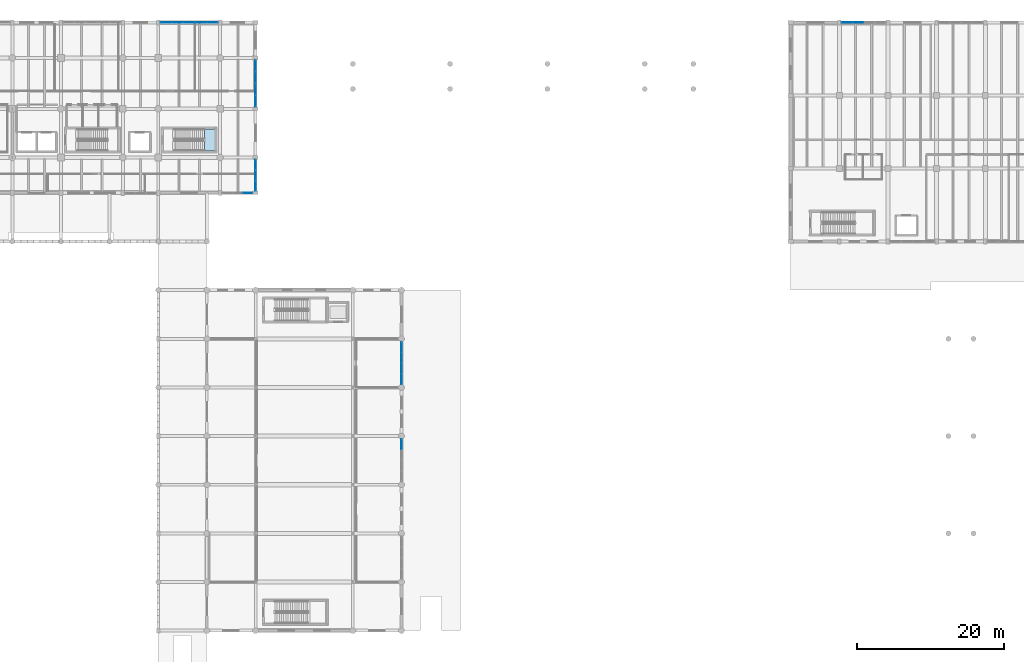
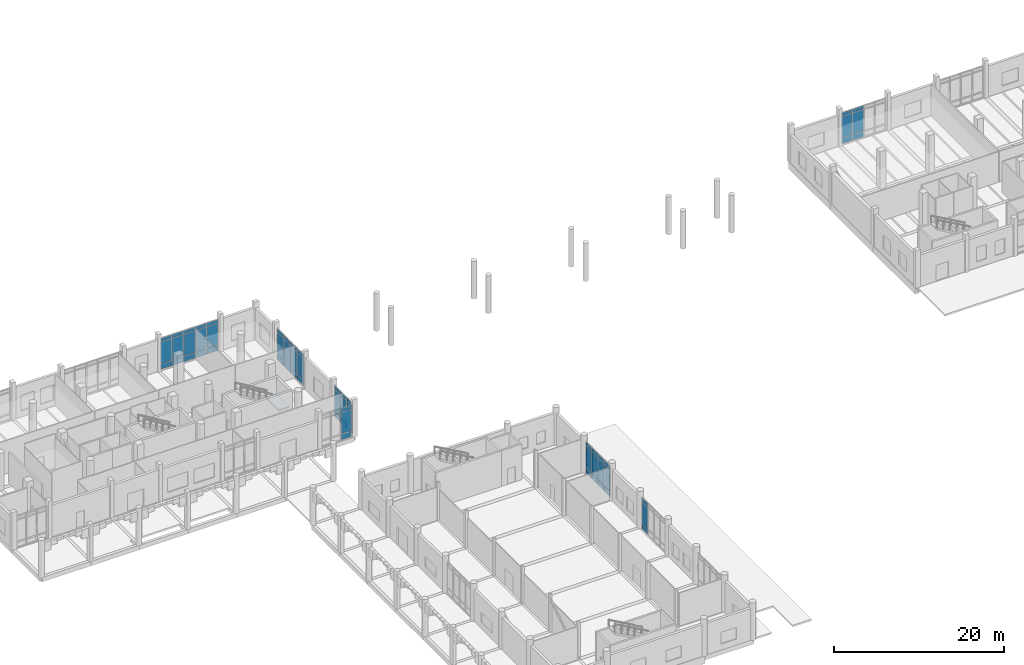
# One storey, part 35 of 72: 60 plates, 1 slab, 8 elements without a shape of their own.
"""IFC4 building model written with IfcOpenShell, lengths in metres."""

from ifc_helpers import new_model, si_unit, direction, frame, origin, origin_2d, place, context, subcontext, project, spatial, polyline, rectangle, outline, extrude, material, layer, layer_set, type_object, element, aggregate, save


model = new_model("IFC4")

# Units and contexts
model_context = context("Model", 3, precision=1e-05, world=origin(), true_north=direction((0.0, 1.0)))
body_context = subcontext(model_context, "Body", "Model", "MODEL_VIEW")
ifc_project = project(units=[si_unit("LENGTHUNIT", "METRE"), si_unit("AREAUNIT", "SQUARE_METRE"), si_unit("VOLUMEUNIT", "CUBIC_METRE"), si_unit("PLANEANGLEUNIT", "RADIAN"), si_unit("MASSUNIT", "GRAM", prefix="KILO")], contexts=[model_context])

# Site, building, storey
site_placement = place(None, origin())
site = spatial("IfcSite", under=ifc_project, at=site_placement, CompositionType="ELEMENT")
building_placement = place(site_placement, origin())
building = spatial("IfcBuilding", under=site, at=building_placement, Name="Dornvale Research Institute", CompositionType="ELEMENT")
storey_placement = place(building_placement, origin())
storey = spatial("IfcBuildingStorey", under=building, at=storey_placement, Name="L00", CompositionType="ELEMENT", Elevation=0.0)

# Curtain wall, plates
ifc_material_1 = material(Name="Low-E Argon Double Insulating Glazing Unit", Category="glass")
curtain_wall_type_1 = type_object("IfcCurtainWallType", Name="UnitisedCurtainWall_V2_5810x4550", PredefinedType="USERDEFINED", material=ifc_material_1)
curtain_wall_1_placement = place(storey_placement, origin())
curtain_wall_1 = element("IfcCurtainWall", 1, at=curtain_wall_1_placement, inside=storey, type_object=curtain_wall_type_1, Name="L00 V2 unitised curtain wall CW-01 #2", ObjectType="UNITISED CURTAIN WALL", PredefinedType="USERDEFINED")
ifc_material_2 = material(Name="Insulated Ceramic-Frit Spandrel Glass Panel", Category="glass")
ifc_layer_1 = layer(ifc_material_2, 0.0419921875)
ifc_layer_set_1 = layer_set([ifc_layer_1], Name="Insulated Ceramic-Frit Spandrel Glass Panel")
plate_type_1 = type_object("IfcPlateType", Name="CurtainPanel_Spandrel_42", PredefinedType="CURTAIN_PANEL", material=ifc_layer_set_1)
plate_1_placement = place(storey_placement, frame((66.0, 78.0625, 0.06494140625), z_axis=(0.0, 0.0, 1.0), x_axis=(0.0, -1.0, 0.0)))
plate_1 = element("IfcPlate", 2, at=plate_1_placement, type_object=plate_type_1, Name="CW-01 panel 1.1", PredefinedType="CURTAIN_PANEL", context=body_context, shape_type="SweptSolid", body=[
    extrude(rectangle(XDim=1.35498046875, YDim=0.0419921875, at=origin_2d()), origin(), (0.0, 0.0, 1.0), 0.75244140625),
])
plate_2_placement = place(storey_placement, frame((66.0, 76.626220703125, 0.06494140625), z_axis=(0.0, 0.0, 1.0), x_axis=(0.0, -1.0, 0.0)))
plate_2 = element("IfcPlate", 3, at=plate_2_placement, type_object=plate_type_1, Name="CW-01 panel 2.1", PredefinedType="CURTAIN_PANEL", context=body_context, shape_type="SweptSolid", body=[
    extrude(rectangle(XDim=1.387451171875, YDim=0.0419921875, at=origin_2d()), origin(), (0.0, 0.0, 1.0), 0.75244140625),
])
plate_3_placement = place(storey_placement, frame((66.0, 75.173828125, 0.06494140625), z_axis=(0.0, 0.0, 1.0), x_axis=(0.0, -1.0, 0.0)))
plate_3 = element("IfcPlate", 4, at=plate_3_placement, type_object=plate_type_1, Name="CW-01 panel 3.1", PredefinedType="CURTAIN_PANEL", context=body_context, shape_type="SweptSolid", body=[
    extrude(rectangle(XDim=1.387451171875, YDim=0.0419921875, at=origin_2d()), origin(), (0.0, 0.0, 1.0), 0.75244140625),
])
plate_4_placement = place(storey_placement, frame((66.0, 73.737548828125, 0.06494140625), z_axis=(0.0, 0.0, 1.0), x_axis=(0.0, -1.0, 0.0)))
plate_4 = element("IfcPlate", 5, at=plate_4_placement, type_object=plate_type_1, Name="CW-01 panel 4.1", PredefinedType="CURTAIN_PANEL", context=body_context, shape_type="SweptSolid", body=[
    extrude(rectangle(XDim=1.35498046875, YDim=0.0419921875, at=origin_2d()), origin(), (0.0, 0.0, 1.0), 0.75244140625),
])

# Curtain wall, plate
curtain_wall_2_placement = place(storey_placement, origin())
curtain_wall_2 = element("IfcCurtainWall", 6, at=curtain_wall_2_placement, inside=storey, type_object=curtain_wall_type_1, Name="L00 V2 unitised curtain wall CW-01 #3", ObjectType="UNITISED CURTAIN WALL", PredefinedType="USERDEFINED")
plate_5_placement = place(storey_placement, frame((66.0, 64.862548828125, 0.06494140625), z_axis=(0.0, 0.0, 1.0), x_axis=(0.0, -1.0, 0.0)))
plate_5 = element("IfcPlate", 7, at=plate_5_placement, type_object=plate_type_1, Name="CW-01 panel 1.1", PredefinedType="CURTAIN_PANEL", context=body_context, shape_type="SweptSolid", body=[
    extrude(rectangle(XDim=1.35498046875, YDim=0.0419921875, at=origin_2d()), origin(), (0.0, 0.0, 1.0), 0.75244140625),
])

# Curtain wall, plates
ifc_material_3 = material(Name="Low-E Argon Double Insulating Glazing Unit", Category="glass")
curtain_wall_type_2 = type_object("IfcCurtainWallType", Name="UnitisedCurtainWall_V4_6100x4550", PredefinedType="USERDEFINED", material=ifc_material_3)
curtain_wall_3_placement = place(storey_placement, origin())
curtain_wall_3 = element("IfcCurtainWall", 8, at=curtain_wall_3_placement, inside=storey, type_object=curtain_wall_type_2, Name="L00 V4 unitised curtain wall CW-08 #66", ObjectType="UNITISED CURTAIN WALL", PredefinedType="USERDEFINED")
plate_6_placement = place(storey_placement, frame((126.4287109375, 122.10009765625, 0.06494140625), z_axis=(0.0, 0.0, 1.0), x_axis=(1.0, 0.0, 0.0)))
plate_6 = element("IfcPlate", 9, at=plate_6_placement, type_object=plate_type_1, Name="CW-08 panel 1.1", PredefinedType="CURTAIN_PANEL", context=body_context, shape_type="SweptSolid", body=[
    extrude(rectangle(XDim=1.427490234375, YDim=0.0419921875, at=origin_2d()), origin(), (0.0, 0.0, 1.0), 0.75244140625),
])
plate_7_placement = place(storey_placement, frame((127.9375, 122.10009765625, 0.06494140625), z_axis=(0.0, 0.0, 1.0), x_axis=(1.0, 0.0, 0.0)))
plate_7 = element("IfcPlate", 10, at=plate_7_placement, type_object=plate_type_1, Name="CW-08 panel 2.1", PredefinedType="CURTAIN_PANEL", context=body_context, shape_type="SweptSolid", body=[
    extrude(rectangle(XDim=1.4599609375, YDim=0.0419921875, at=origin_2d()), origin(), (0.0, 0.0, 1.0), 0.75244140625),
])

ifc_material_4 = material(Name="Low-E Argon Double Insulating Glazing Unit", Category="glass")
curtain_wall_type_3 = type_object("IfcCurtainWallType", Name="UnitisedCurtainWall_V5_7900x4550", PredefinedType="USERDEFINED", material=ifc_material_4)
curtain_wall_4_placement = place(storey_placement, origin())
curtain_wall_4 = element("IfcCurtainWall", 11, at=curtain_wall_4_placement, inside=storey, type_object=curtain_wall_type_3, Name="L00 V5 unitised curtain wall CW-20 #127", ObjectType="UNITISED CURTAIN WALL", PredefinedType="USERDEFINED")
plate_8_placement = place(storey_placement, frame((34.05615234375, 122.10009765625, 0.06494140625), z_axis=(0.0, 0.0, 1.0), x_axis=(1.0, 0.0, 0.0)))
plate_8 = element("IfcPlate", 12, at=plate_8_placement, type_object=plate_type_1, Name="CW-20 panel 1.1", PredefinedType="CURTAIN_PANEL", context=body_context, shape_type="SweptSolid", body=[
    extrude(rectangle(XDim=1.482421875, YDim=0.0419921875, at=origin_2d()), origin(), (0.0, 0.0, 1.0), 0.75244140625),
])
plate_9_placement = place(storey_placement, frame((35.6201171875, 122.10009765625, 0.06494140625), z_axis=(0.0, 0.0, 1.0), x_axis=(1.0, 0.0, 0.0)))
plate_9 = element("IfcPlate", 13, at=plate_9_placement, type_object=plate_type_1, Name="CW-20 panel 2.1", PredefinedType="CURTAIN_PANEL", context=body_context, shape_type="SweptSolid", body=[
    extrude(rectangle(XDim=1.514892578125, YDim=0.0419921875, at=origin_2d()), origin(), (0.0, 0.0, 1.0), 0.75244140625),
])
plate_10_placement = place(storey_placement, frame((37.199951171875, 122.10009765625, 0.06494140625), z_axis=(0.0, 0.0, 1.0), x_axis=(1.0, 0.0, 0.0)))
plate_10 = element("IfcPlate", 14, at=plate_10_placement, type_object=plate_type_1, Name="CW-20 panel 3.1", PredefinedType="CURTAIN_PANEL", context=body_context, shape_type="SweptSolid", body=[
    extrude(rectangle(XDim=1.514892578125, YDim=0.0419921875, at=origin_2d()), origin(), (0.0, 0.0, 1.0), 0.75244140625),
])
plate_11_placement = place(storey_placement, frame((38.780029296875, 122.10009765625, 0.06494140625), z_axis=(0.0, 0.0, 1.0), x_axis=(1.0, 0.0, 0.0)))
plate_11 = element("IfcPlate", 15, at=plate_11_placement, type_object=plate_type_1, Name="CW-20 panel 4.1", PredefinedType="CURTAIN_PANEL", context=body_context, shape_type="SweptSolid", body=[
    extrude(rectangle(XDim=1.514892578125, YDim=0.0419921875, at=origin_2d()), origin(), (0.0, 0.0, 1.0), 0.75244140625),
])
plate_12_placement = place(storey_placement, frame((40.34375, 122.10009765625, 0.06494140625), z_axis=(0.0, 0.0, 1.0), x_axis=(1.0, 0.0, 0.0)))
plate_12 = element("IfcPlate", 16, at=plate_12_placement, type_object=plate_type_1, Name="CW-20 panel 5.1", PredefinedType="CURTAIN_PANEL", context=body_context, shape_type="SweptSolid", body=[
    extrude(rectangle(XDim=1.482421875, YDim=0.0419921875, at=origin_2d()), origin(), (0.0, 0.0, 1.0), 0.75244140625),
])

ifc_material_5 = material(Name="Low-E Argon Double Insulating Glazing Unit", Category="glass")
curtain_wall_type_4 = type_object("IfcCurtainWallType", Name="UnitisedCurtainWall_V5_6400x4550", PredefinedType="USERDEFINED", material=ifc_material_5)
curtain_wall_5_placement = place(storey_placement, origin())
curtain_wall_5 = element("IfcCurtainWall", 17, at=curtain_wall_5_placement, inside=storey, type_object=curtain_wall_type_4, Name="L00 V5 unitised curtain wall CW-21 #128", ObjectType="UNITISED CURTAIN WALL", PredefinedType="USERDEFINED")
plate_13_placement = place(storey_placement, frame((46.199951171875, 116.233642578125, 0.06494140625), z_axis=(0.0, 0.0, 1.0), x_axis=(0.0, -1.0, 0.0)))
plate_13 = element("IfcPlate", 18, at=plate_13_placement, type_object=plate_type_1, Name="CW-21 panel 1.1", PredefinedType="CURTAIN_PANEL", context=body_context, shape_type="SweptSolid", body=[
    extrude(rectangle(XDim=1.50244140625, YDim=0.0419921875, at=origin_2d()), origin(), (0.0, 0.0, 1.0), 0.75244140625),
])
plate_14_placement = place(storey_placement, frame((46.199951171875, 114.64990234375, 0.06494140625), z_axis=(0.0, 0.0, 1.0), x_axis=(0.0, -1.0, 0.0)))
plate_14 = element("IfcPlate", 19, at=plate_14_placement, type_object=plate_type_1, Name="CW-21 panel 2.1", PredefinedType="CURTAIN_PANEL", context=body_context, shape_type="SweptSolid", body=[
    extrude(rectangle(XDim=1.534912109375, YDim=0.0419921875, at=origin_2d()), origin(), (0.0, 0.0, 1.0), 0.75244140625),
])
plate_15_placement = place(storey_placement, frame((46.199951171875, 113.050048828125, 0.06494140625), z_axis=(0.0, 0.0, 1.0), x_axis=(0.0, -1.0, 0.0)))
plate_15 = element("IfcPlate", 20, at=plate_15_placement, type_object=plate_type_1, Name="CW-21 panel 3.1", PredefinedType="CURTAIN_PANEL", context=body_context, shape_type="SweptSolid", body=[
    extrude(rectangle(XDim=1.534912109375, YDim=0.0419921875, at=origin_2d()), origin(), (0.0, 0.0, 1.0), 0.75244140625),
])
plate_16_placement = place(storey_placement, frame((46.199951171875, 111.46630859375, 0.06494140625), z_axis=(0.0, 0.0, 1.0), x_axis=(0.0, -1.0, 0.0)))
plate_16 = element("IfcPlate", 21, at=plate_16_placement, type_object=plate_type_1, Name="CW-21 panel 4.1", PredefinedType="CURTAIN_PANEL", context=body_context, shape_type="SweptSolid", body=[
    extrude(rectangle(XDim=1.50244140625, YDim=0.0419921875, at=origin_2d()), origin(), (0.0, 0.0, 1.0), 0.75244140625),
])

ifc_material_6 = material(Name="Low-E Argon Double Insulating Glazing Unit", Category="glass")
curtain_wall_type_5 = type_object("IfcCurtainWallType", Name="UnitisedCurtainWall_V5_4300x4550", PredefinedType="USERDEFINED", material=ifc_material_6)
curtain_wall_6_placement = place(storey_placement, origin())
curtain_wall_6 = element("IfcCurtainWall", 22, at=curtain_wall_6_placement, inside=storey, type_object=curtain_wall_type_5, Name="L00 V5 unitised curtain wall CW-22 #129", ObjectType="UNITISED CURTAIN WALL", PredefinedType="USERDEFINED")
plate_17_placement = place(storey_placement, frame((46.199951171875, 102.817138671875, 0.06494140625), z_axis=(0.0, 0.0, 1.0), x_axis=(0.0, -1.0, 0.0)))
plate_17 = element("IfcPlate", 23, at=plate_17_placement, type_object=plate_type_1, Name="CW-22 panel 1.1", PredefinedType="CURTAIN_PANEL", context=body_context, shape_type="SweptSolid", body=[
    extrude(rectangle(XDim=1.3359375, YDim=0.0419921875, at=origin_2d()), origin(), (0.0, 0.0, 1.0), 0.75244140625),
])
plate_18_placement = place(storey_placement, frame((46.199951171875, 101.39990234375, 0.06494140625), z_axis=(0.0, 0.0, 1.0), x_axis=(0.0, -1.0, 0.0)))
plate_18 = element("IfcPlate", 24, at=plate_18_placement, type_object=plate_type_1, Name="CW-22 panel 2.1", PredefinedType="CURTAIN_PANEL", context=body_context, shape_type="SweptSolid", body=[
    extrude(rectangle(XDim=1.368408203125, YDim=0.0419921875, at=origin_2d()), origin(), (0.0, 0.0, 1.0), 0.75244140625),
])
plate_19_placement = place(storey_placement, frame((46.199951171875, 99.98291015625, 0.06494140625), z_axis=(0.0, 0.0, 1.0), x_axis=(0.0, -1.0, 0.0)))
plate_19 = element("IfcPlate", 25, at=plate_19_placement, type_object=plate_type_1, Name="CW-22 panel 3.1", PredefinedType="CURTAIN_PANEL", context=body_context, shape_type="SweptSolid", body=[
    extrude(rectangle(XDim=1.3359375, YDim=0.0419921875, at=origin_2d()), origin(), (0.0, 0.0, 1.0), 0.75244140625),
])

# Curtain wall, plate
ifc_material_7 = material(Name="Low-E Argon Double Insulating Glazing Unit", Category="glass")
curtain_wall_type_6 = type_object("IfcCurtainWallType", Name="UnitisedCurtainWall_V5_4200x4550", PredefinedType="USERDEFINED", material=ifc_material_7)
curtain_wall_7_placement = place(storey_placement, origin())
curtain_wall_7 = element("IfcCurtainWall", 26, at=curtain_wall_7_placement, inside=storey, type_object=curtain_wall_type_6, Name="L00 V5 unitised curtain wall CW-23 #130", ObjectType="UNITISED CURTAIN WALL", PredefinedType="USERDEFINED")
plate_20_placement = place(storey_placement, frame((45.1337890625, 99.0, 0.06494140625), z_axis=(0.0, 0.0, 1.0), x_axis=(-1.0, 0.0, 0.0)))
plate_20 = element("IfcPlate", 27, at=plate_20_placement, type_object=plate_type_1, Name="CW-23 panel 1.1", PredefinedType="CURTAIN_PANEL", context=body_context, shape_type="SweptSolid", body=[
    extrude(rectangle(XDim=1.302490234375, YDim=0.0419921875, at=origin_2d()), origin(), (0.0, 0.0, 1.0), 0.75244140625),
])

# Plate
ifc_material_8 = material(Name="Low-E Argon Double Insulating Glazing Unit", Category="glass")
ifc_layer_2 = layer(ifc_material_8, 0.028076171875)
ifc_layer_set_2 = layer_set([ifc_layer_2], Name="Low-E Argon Double Insulating Glazing Unit")
plate_type_2 = type_object("IfcPlateType", Name="CurtainPanel_Vision_28", PredefinedType="CURTAIN_PANEL", material=ifc_layer_set_2)
plate_21_placement = place(storey_placement, frame((66.0, 78.0625, 0.882568359375), z_axis=(0.0, 0.0, 1.0), x_axis=(0.0, -1.0, 0.0)))
plate_21 = element("IfcPlate", 28, at=plate_21_placement, type_object=plate_type_2, Name="CW-01 panel 1.2", PredefinedType="CURTAIN_PANEL", context=body_context, shape_type="SweptSolid", body=[
    extrude(rectangle(XDim=1.35498046875, YDim=0.028076171875, at=origin_2d()), origin(), (0.0, 0.0, 1.0), 3.0849609375),
])

plate_22_placement = place(storey_placement, frame((66.0, 78.0625, 4.03271484375), z_axis=(0.0, 0.0, 1.0), x_axis=(0.0, -1.0, 0.0)))
plate_22 = element("IfcPlate", 29, at=plate_22_placement, type_object=plate_type_2, Name="CW-01 panel 1.3", PredefinedType="CURTAIN_PANEL", context=body_context, shape_type="SweptSolid", body=[
    extrude(rectangle(XDim=1.35498046875, YDim=0.028076171875, at=origin_2d()), origin(), (0.0, 0.0, 1.0), 0.452392578125),
])

plate_23_placement = place(storey_placement, frame((66.0, 76.626220703125, 0.882568359375), z_axis=(0.0, 0.0, 1.0), x_axis=(0.0, -1.0, 0.0)))
plate_23 = element("IfcPlate", 30, at=plate_23_placement, type_object=plate_type_2, Name="CW-01 panel 2.2", PredefinedType="CURTAIN_PANEL", context=body_context, shape_type="SweptSolid", body=[
    extrude(rectangle(XDim=1.387451171875, YDim=0.028076171875, at=origin_2d()), origin(), (0.0, 0.0, 1.0), 3.0849609375),
])

plate_24_placement = place(storey_placement, frame((66.0, 76.626220703125, 4.03271484375), z_axis=(0.0, 0.0, 1.0), x_axis=(0.0, -1.0, 0.0)))
plate_24 = element("IfcPlate", 31, at=plate_24_placement, type_object=plate_type_2, Name="CW-01 panel 2.3", PredefinedType="CURTAIN_PANEL", context=body_context, shape_type="SweptSolid", body=[
    extrude(rectangle(XDim=1.387451171875, YDim=0.028076171875, at=origin_2d()), origin(), (0.0, 0.0, 1.0), 0.452392578125),
])

plate_25_placement = place(storey_placement, frame((66.0, 75.173828125, 0.882568359375), z_axis=(0.0, 0.0, 1.0), x_axis=(0.0, -1.0, 0.0)))
plate_25 = element("IfcPlate", 32, at=plate_25_placement, type_object=plate_type_2, Name="CW-01 panel 3.2", PredefinedType="CURTAIN_PANEL", context=body_context, shape_type="SweptSolid", body=[
    extrude(rectangle(XDim=1.387451171875, YDim=0.028076171875, at=origin_2d()), origin(), (0.0, 0.0, 1.0), 3.0849609375),
])

plate_26_placement = place(storey_placement, frame((66.0, 75.173828125, 4.03271484375), z_axis=(0.0, 0.0, 1.0), x_axis=(0.0, -1.0, 0.0)))
plate_26 = element("IfcPlate", 33, at=plate_26_placement, type_object=plate_type_2, Name="CW-01 panel 3.3", PredefinedType="CURTAIN_PANEL", context=body_context, shape_type="SweptSolid", body=[
    extrude(rectangle(XDim=1.387451171875, YDim=0.028076171875, at=origin_2d()), origin(), (0.0, 0.0, 1.0), 0.452392578125),
])

plate_27_placement = place(storey_placement, frame((66.0, 73.737548828125, 0.882568359375), z_axis=(0.0, 0.0, 1.0), x_axis=(0.0, -1.0, 0.0)))
plate_27 = element("IfcPlate", 34, at=plate_27_placement, type_object=plate_type_2, Name="CW-01 panel 4.2", PredefinedType="CURTAIN_PANEL", context=body_context, shape_type="SweptSolid", body=[
    extrude(rectangle(XDim=1.35498046875, YDim=0.028076171875, at=origin_2d()), origin(), (0.0, 0.0, 1.0), 3.0849609375),
])

plate_28_placement = place(storey_placement, frame((66.0, 73.737548828125, 4.03271484375), z_axis=(0.0, 0.0, 1.0), x_axis=(0.0, -1.0, 0.0)))
plate_28 = element("IfcPlate", 35, at=plate_28_placement, type_object=plate_type_2, Name="CW-01 panel 4.3", PredefinedType="CURTAIN_PANEL", context=body_context, shape_type="SweptSolid", body=[
    extrude(rectangle(XDim=1.35498046875, YDim=0.028076171875, at=origin_2d()), origin(), (0.0, 0.0, 1.0), 0.452392578125),
])

aggregate(curtain_wall_1, [plate_1, plate_21, plate_22, plate_2, plate_23, plate_24, plate_3, plate_25, plate_26, plate_4, plate_27, plate_28])

plate_29_placement = place(storey_placement, frame((66.0, 64.862548828125, 0.882568359375), z_axis=(0.0, 0.0, 1.0), x_axis=(0.0, -1.0, 0.0)))
plate_29 = element("IfcPlate", 36, at=plate_29_placement, type_object=plate_type_2, Name="CW-01 panel 1.2", PredefinedType="CURTAIN_PANEL", context=body_context, shape_type="SweptSolid", body=[
    extrude(rectangle(XDim=1.35498046875, YDim=0.028076171875, at=origin_2d()), origin(), (0.0, 0.0, 1.0), 3.0849609375),
])

plate_30_placement = place(storey_placement, frame((66.0, 64.862548828125, 4.03271484375), z_axis=(0.0, 0.0, 1.0), x_axis=(0.0, -1.0, 0.0)))
plate_30 = element("IfcPlate", 37, at=plate_30_placement, type_object=plate_type_2, Name="CW-01 panel 1.3", PredefinedType="CURTAIN_PANEL", context=body_context, shape_type="SweptSolid", body=[
    extrude(rectangle(XDim=1.35498046875, YDim=0.028076171875, at=origin_2d()), origin(), (0.0, 0.0, 1.0), 0.452392578125),
])

aggregate(curtain_wall_2, [plate_5, plate_29, plate_30])

plate_31_placement = place(storey_placement, frame((126.4287109375, 122.10009765625, 0.882568359375), z_axis=(0.0, 0.0, 1.0), x_axis=(1.0, 0.0, 0.0)))
plate_31 = element("IfcPlate", 38, at=plate_31_placement, type_object=plate_type_2, Name="CW-08 panel 1.2", PredefinedType="CURTAIN_PANEL", context=body_context, shape_type="SweptSolid", body=[
    extrude(rectangle(XDim=1.427490234375, YDim=0.028076171875, at=origin_2d()), origin(), (0.0, 0.0, 1.0), 3.0849609375),
])

plate_32_placement = place(storey_placement, frame((126.4287109375, 122.10009765625, 4.03271484375), z_axis=(0.0, 0.0, 1.0), x_axis=(1.0, 0.0, 0.0)))
plate_32 = element("IfcPlate", 39, at=plate_32_placement, type_object=plate_type_2, Name="CW-08 panel 1.3", PredefinedType="CURTAIN_PANEL", context=body_context, shape_type="SweptSolid", body=[
    extrude(rectangle(XDim=1.427490234375, YDim=0.028076171875, at=origin_2d()), origin(), (0.0, 0.0, 1.0), 0.452392578125),
])

plate_33_placement = place(storey_placement, frame((127.9375, 122.10009765625, 0.882568359375), z_axis=(0.0, 0.0, 1.0), x_axis=(1.0, 0.0, 0.0)))
plate_33 = element("IfcPlate", 40, at=plate_33_placement, type_object=plate_type_2, Name="CW-08 panel 2.2", PredefinedType="CURTAIN_PANEL", context=body_context, shape_type="SweptSolid", body=[
    extrude(rectangle(XDim=1.4599609375, YDim=0.028076171875, at=origin_2d()), origin(), (0.0, 0.0, 1.0), 3.0849609375),
])

plate_34_placement = place(storey_placement, frame((127.9375, 122.10009765625, 4.03271484375), z_axis=(0.0, 0.0, 1.0), x_axis=(1.0, 0.0, 0.0)))
plate_34 = element("IfcPlate", 41, at=plate_34_placement, type_object=plate_type_2, Name="CW-08 panel 2.3", PredefinedType="CURTAIN_PANEL", context=body_context, shape_type="SweptSolid", body=[
    extrude(rectangle(XDim=1.4599609375, YDim=0.028076171875, at=origin_2d()), origin(), (0.0, 0.0, 1.0), 0.452392578125),
])

aggregate(curtain_wall_3, [plate_6, plate_31, plate_32, plate_7, plate_33, plate_34])

plate_35_placement = place(storey_placement, frame((34.05615234375, 122.10009765625, 0.882568359375), z_axis=(0.0, 0.0, 1.0), x_axis=(1.0, 0.0, 0.0)))
plate_35 = element("IfcPlate", 42, at=plate_35_placement, type_object=plate_type_2, Name="CW-20 panel 1.2", PredefinedType="CURTAIN_PANEL", context=body_context, shape_type="SweptSolid", body=[
    extrude(rectangle(XDim=1.482421875, YDim=0.028076171875, at=origin_2d()), origin(), (0.0, 0.0, 1.0), 3.0849609375),
])

plate_36_placement = place(storey_placement, frame((34.05615234375, 122.10009765625, 4.03271484375), z_axis=(0.0, 0.0, 1.0), x_axis=(1.0, 0.0, 0.0)))
plate_36 = element("IfcPlate", 43, at=plate_36_placement, type_object=plate_type_2, Name="CW-20 panel 1.3", PredefinedType="CURTAIN_PANEL", context=body_context, shape_type="SweptSolid", body=[
    extrude(rectangle(XDim=1.482421875, YDim=0.028076171875, at=origin_2d()), origin(), (0.0, 0.0, 1.0), 0.452392578125),
])

plate_37_placement = place(storey_placement, frame((35.6201171875, 122.10009765625, 0.882568359375), z_axis=(0.0, 0.0, 1.0), x_axis=(1.0, 0.0, 0.0)))
plate_37 = element("IfcPlate", 44, at=plate_37_placement, type_object=plate_type_2, Name="CW-20 panel 2.2", PredefinedType="CURTAIN_PANEL", context=body_context, shape_type="SweptSolid", body=[
    extrude(rectangle(XDim=1.514892578125, YDim=0.028076171875, at=origin_2d()), origin(), (0.0, 0.0, 1.0), 3.0849609375),
])

plate_38_placement = place(storey_placement, frame((35.6201171875, 122.10009765625, 4.03271484375), z_axis=(0.0, 0.0, 1.0), x_axis=(1.0, 0.0, 0.0)))
plate_38 = element("IfcPlate", 45, at=plate_38_placement, type_object=plate_type_2, Name="CW-20 panel 2.3", PredefinedType="CURTAIN_PANEL", context=body_context, shape_type="SweptSolid", body=[
    extrude(rectangle(XDim=1.514892578125, YDim=0.028076171875, at=origin_2d()), origin(), (0.0, 0.0, 1.0), 0.452392578125),
])

plate_39_placement = place(storey_placement, frame((37.199951171875, 122.10009765625, 0.882568359375), z_axis=(0.0, 0.0, 1.0), x_axis=(1.0, 0.0, 0.0)))
plate_39 = element("IfcPlate", 46, at=plate_39_placement, type_object=plate_type_2, Name="CW-20 panel 3.2", PredefinedType="CURTAIN_PANEL", context=body_context, shape_type="SweptSolid", body=[
    extrude(rectangle(XDim=1.514892578125, YDim=0.028076171875, at=origin_2d()), origin(), (0.0, 0.0, 1.0), 3.0849609375),
])

plate_40_placement = place(storey_placement, frame((37.199951171875, 122.10009765625, 4.03271484375), z_axis=(0.0, 0.0, 1.0), x_axis=(1.0, 0.0, 0.0)))
plate_40 = element("IfcPlate", 47, at=plate_40_placement, type_object=plate_type_2, Name="CW-20 panel 3.3", PredefinedType="CURTAIN_PANEL", context=body_context, shape_type="SweptSolid", body=[
    extrude(rectangle(XDim=1.514892578125, YDim=0.028076171875, at=origin_2d()), origin(), (0.0, 0.0, 1.0), 0.452392578125),
])

plate_41_placement = place(storey_placement, frame((38.780029296875, 122.10009765625, 0.882568359375), z_axis=(0.0, 0.0, 1.0), x_axis=(1.0, 0.0, 0.0)))
plate_41 = element("IfcPlate", 48, at=plate_41_placement, type_object=plate_type_2, Name="CW-20 panel 4.2", PredefinedType="CURTAIN_PANEL", context=body_context, shape_type="SweptSolid", body=[
    extrude(rectangle(XDim=1.514892578125, YDim=0.028076171875, at=origin_2d()), origin(), (0.0, 0.0, 1.0), 3.0849609375),
])

plate_42_placement = place(storey_placement, frame((38.780029296875, 122.10009765625, 4.03271484375), z_axis=(0.0, 0.0, 1.0), x_axis=(1.0, 0.0, 0.0)))
plate_42 = element("IfcPlate", 49, at=plate_42_placement, type_object=plate_type_2, Name="CW-20 panel 4.3", PredefinedType="CURTAIN_PANEL", context=body_context, shape_type="SweptSolid", body=[
    extrude(rectangle(XDim=1.514892578125, YDim=0.028076171875, at=origin_2d()), origin(), (0.0, 0.0, 1.0), 0.452392578125),
])

plate_43_placement = place(storey_placement, frame((40.34375, 122.10009765625, 0.882568359375), z_axis=(0.0, 0.0, 1.0), x_axis=(1.0, 0.0, 0.0)))
plate_43 = element("IfcPlate", 50, at=plate_43_placement, type_object=plate_type_2, Name="CW-20 panel 5.2", PredefinedType="CURTAIN_PANEL", context=body_context, shape_type="SweptSolid", body=[
    extrude(rectangle(XDim=1.482421875, YDim=0.028076171875, at=origin_2d()), origin(), (0.0, 0.0, 1.0), 3.0849609375),
])

plate_44_placement = place(storey_placement, frame((40.34375, 122.10009765625, 4.03271484375), z_axis=(0.0, 0.0, 1.0), x_axis=(1.0, 0.0, 0.0)))
plate_44 = element("IfcPlate", 51, at=plate_44_placement, type_object=plate_type_2, Name="CW-20 panel 5.3", PredefinedType="CURTAIN_PANEL", context=body_context, shape_type="SweptSolid", body=[
    extrude(rectangle(XDim=1.482421875, YDim=0.028076171875, at=origin_2d()), origin(), (0.0, 0.0, 1.0), 0.452392578125),
])

aggregate(curtain_wall_4, [plate_8, plate_35, plate_36, plate_9, plate_37, plate_38, plate_10, plate_39, plate_40, plate_11, plate_41, plate_42, plate_12, plate_43, plate_44])

plate_45_placement = place(storey_placement, frame((46.199951171875, 116.233642578125, 0.882568359375), z_axis=(0.0, 0.0, 1.0), x_axis=(0.0, -1.0, 0.0)))
plate_45 = element("IfcPlate", 52, at=plate_45_placement, type_object=plate_type_2, Name="CW-21 panel 1.2", PredefinedType="CURTAIN_PANEL", context=body_context, shape_type="SweptSolid", body=[
    extrude(rectangle(XDim=1.50244140625, YDim=0.028076171875, at=origin_2d()), origin(), (0.0, 0.0, 1.0), 3.0849609375),
])

plate_46_placement = place(storey_placement, frame((46.199951171875, 116.233642578125, 4.03271484375), z_axis=(0.0, 0.0, 1.0), x_axis=(0.0, -1.0, 0.0)))
plate_46 = element("IfcPlate", 53, at=plate_46_placement, type_object=plate_type_2, Name="CW-21 panel 1.3", PredefinedType="CURTAIN_PANEL", context=body_context, shape_type="SweptSolid", body=[
    extrude(rectangle(XDim=1.50244140625, YDim=0.028076171875, at=origin_2d()), origin(), (0.0, 0.0, 1.0), 0.452392578125),
])

plate_47_placement = place(storey_placement, frame((46.199951171875, 114.64990234375, 0.882568359375), z_axis=(0.0, 0.0, 1.0), x_axis=(0.0, -1.0, 0.0)))
plate_47 = element("IfcPlate", 54, at=plate_47_placement, type_object=plate_type_2, Name="CW-21 panel 2.2", PredefinedType="CURTAIN_PANEL", context=body_context, shape_type="SweptSolid", body=[
    extrude(rectangle(XDim=1.534912109375, YDim=0.028076171875, at=origin_2d()), origin(), (0.0, 0.0, 1.0), 3.0849609375),
])

plate_48_placement = place(storey_placement, frame((46.199951171875, 114.64990234375, 4.03271484375), z_axis=(0.0, 0.0, 1.0), x_axis=(0.0, -1.0, 0.0)))
plate_48 = element("IfcPlate", 55, at=plate_48_placement, type_object=plate_type_2, Name="CW-21 panel 2.3", PredefinedType="CURTAIN_PANEL", context=body_context, shape_type="SweptSolid", body=[
    extrude(rectangle(XDim=1.534912109375, YDim=0.028076171875, at=origin_2d()), origin(), (0.0, 0.0, 1.0), 0.452392578125),
])

plate_49_placement = place(storey_placement, frame((46.199951171875, 113.050048828125, 0.882568359375), z_axis=(0.0, 0.0, 1.0), x_axis=(0.0, -1.0, 0.0)))
plate_49 = element("IfcPlate", 56, at=plate_49_placement, type_object=plate_type_2, Name="CW-21 panel 3.2", PredefinedType="CURTAIN_PANEL", context=body_context, shape_type="SweptSolid", body=[
    extrude(rectangle(XDim=1.534912109375, YDim=0.028076171875, at=origin_2d()), origin(), (0.0, 0.0, 1.0), 3.0849609375),
])

plate_50_placement = place(storey_placement, frame((46.199951171875, 113.050048828125, 4.03271484375), z_axis=(0.0, 0.0, 1.0), x_axis=(0.0, -1.0, 0.0)))
plate_50 = element("IfcPlate", 57, at=plate_50_placement, type_object=plate_type_2, Name="CW-21 panel 3.3", PredefinedType="CURTAIN_PANEL", context=body_context, shape_type="SweptSolid", body=[
    extrude(rectangle(XDim=1.534912109375, YDim=0.028076171875, at=origin_2d()), origin(), (0.0, 0.0, 1.0), 0.452392578125),
])

plate_51_placement = place(storey_placement, frame((46.199951171875, 111.46630859375, 0.882568359375), z_axis=(0.0, 0.0, 1.0), x_axis=(0.0, -1.0, 0.0)))
plate_51 = element("IfcPlate", 58, at=plate_51_placement, type_object=plate_type_2, Name="CW-21 panel 4.2", PredefinedType="CURTAIN_PANEL", context=body_context, shape_type="SweptSolid", body=[
    extrude(rectangle(XDim=1.50244140625, YDim=0.028076171875, at=origin_2d()), origin(), (0.0, 0.0, 1.0), 3.0849609375),
])

plate_52_placement = place(storey_placement, frame((46.199951171875, 111.46630859375, 4.03271484375), z_axis=(0.0, 0.0, 1.0), x_axis=(0.0, -1.0, 0.0)))
plate_52 = element("IfcPlate", 59, at=plate_52_placement, type_object=plate_type_2, Name="CW-21 panel 4.3", PredefinedType="CURTAIN_PANEL", context=body_context, shape_type="SweptSolid", body=[
    extrude(rectangle(XDim=1.50244140625, YDim=0.028076171875, at=origin_2d()), origin(), (0.0, 0.0, 1.0), 0.452392578125),
])

aggregate(curtain_wall_5, [plate_13, plate_45, plate_46, plate_14, plate_47, plate_48, plate_15, plate_49, plate_50, plate_16, plate_51, plate_52])

plate_53_placement = place(storey_placement, frame((46.199951171875, 102.817138671875, 0.882568359375), z_axis=(0.0, 0.0, 1.0), x_axis=(0.0, -1.0, 0.0)))
plate_53 = element("IfcPlate", 60, at=plate_53_placement, type_object=plate_type_2, Name="CW-22 panel 1.2", PredefinedType="CURTAIN_PANEL", context=body_context, shape_type="SweptSolid", body=[
    extrude(rectangle(XDim=1.3359375, YDim=0.028076171875, at=origin_2d()), origin(), (0.0, 0.0, 1.0), 3.0849609375),
])

plate_54_placement = place(storey_placement, frame((46.199951171875, 102.817138671875, 4.03271484375), z_axis=(0.0, 0.0, 1.0), x_axis=(0.0, -1.0, 0.0)))
plate_54 = element("IfcPlate", 61, at=plate_54_placement, type_object=plate_type_2, Name="CW-22 panel 1.3", PredefinedType="CURTAIN_PANEL", context=body_context, shape_type="SweptSolid", body=[
    extrude(rectangle(XDim=1.3359375, YDim=0.028076171875, at=origin_2d()), origin(), (0.0, 0.0, 1.0), 0.452392578125),
])

plate_55_placement = place(storey_placement, frame((46.199951171875, 101.39990234375, 0.882568359375), z_axis=(0.0, 0.0, 1.0), x_axis=(0.0, -1.0, 0.0)))
plate_55 = element("IfcPlate", 62, at=plate_55_placement, type_object=plate_type_2, Name="CW-22 panel 2.2", PredefinedType="CURTAIN_PANEL", context=body_context, shape_type="SweptSolid", body=[
    extrude(rectangle(XDim=1.368408203125, YDim=0.028076171875, at=origin_2d()), origin(), (0.0, 0.0, 1.0), 3.0849609375),
])

plate_56_placement = place(storey_placement, frame((46.199951171875, 101.39990234375, 4.03271484375), z_axis=(0.0, 0.0, 1.0), x_axis=(0.0, -1.0, 0.0)))
plate_56 = element("IfcPlate", 63, at=plate_56_placement, type_object=plate_type_2, Name="CW-22 panel 2.3", PredefinedType="CURTAIN_PANEL", context=body_context, shape_type="SweptSolid", body=[
    extrude(rectangle(XDim=1.368408203125, YDim=0.028076171875, at=origin_2d()), origin(), (0.0, 0.0, 1.0), 0.452392578125),
])

plate_57_placement = place(storey_placement, frame((46.199951171875, 99.98291015625, 0.882568359375), z_axis=(0.0, 0.0, 1.0), x_axis=(0.0, -1.0, 0.0)))
plate_57 = element("IfcPlate", 64, at=plate_57_placement, type_object=plate_type_2, Name="CW-22 panel 3.2", PredefinedType="CURTAIN_PANEL", context=body_context, shape_type="SweptSolid", body=[
    extrude(rectangle(XDim=1.3359375, YDim=0.028076171875, at=origin_2d()), origin(), (0.0, 0.0, 1.0), 3.0849609375),
])

plate_58_placement = place(storey_placement, frame((46.199951171875, 99.98291015625, 4.03271484375), z_axis=(0.0, 0.0, 1.0), x_axis=(0.0, -1.0, 0.0)))
plate_58 = element("IfcPlate", 65, at=plate_58_placement, type_object=plate_type_2, Name="CW-22 panel 3.3", PredefinedType="CURTAIN_PANEL", context=body_context, shape_type="SweptSolid", body=[
    extrude(rectangle(XDim=1.3359375, YDim=0.028076171875, at=origin_2d()), origin(), (0.0, 0.0, 1.0), 0.452392578125),
])

aggregate(curtain_wall_6, [plate_17, plate_53, plate_54, plate_18, plate_55, plate_56, plate_19, plate_57, plate_58])

plate_59_placement = place(storey_placement, frame((45.1337890625, 99.0, 0.882568359375), z_axis=(0.0, 0.0, 1.0), x_axis=(-1.0, 0.0, 0.0)))
plate_59 = element("IfcPlate", 66, at=plate_59_placement, type_object=plate_type_2, Name="CW-23 panel 1.2", PredefinedType="CURTAIN_PANEL", context=body_context, shape_type="SweptSolid", body=[
    extrude(rectangle(XDim=1.302490234375, YDim=0.028076171875, at=origin_2d()), origin(), (0.0, 0.0, 1.0), 3.0849609375),
])

plate_60_placement = place(storey_placement, frame((45.1337890625, 99.0, 4.03271484375), z_axis=(0.0, 0.0, 1.0), x_axis=(-1.0, 0.0, 0.0)))
plate_60 = element("IfcPlate", 67, at=plate_60_placement, type_object=plate_type_2, Name="CW-23 panel 1.3", PredefinedType="CURTAIN_PANEL", context=body_context, shape_type="SweptSolid", body=[
    extrude(rectangle(XDim=1.302490234375, YDim=0.028076171875, at=origin_2d()), origin(), (0.0, 0.0, 1.0), 0.452392578125),
])

aggregate(curtain_wall_7, [plate_20, plate_59, plate_60])

# Stair, slab
ifc_material_9 = material(Name="Concrete f'c 45 MPa (C35/45)", Category="concrete")
stair_type = type_object("IfcStairType", Name="HalfTurnStair_RC", PredefinedType="HALF_TURN_STAIR", material=ifc_material_9)
stair_placement = place(storey_placement, origin())
stair = element("IfcStair", 68, at=stair_placement, inside=storey, type_object=stair_type, Name="L00 Exit stair ST-2", PredefinedType="HALF_TURN_STAIR")
ifc_material_10 = material(Name="Concrete f'c 45 MPa (C35/45)", Category="concrete")
ifc_layer_3 = layer(ifc_material_10, 0.199951171875)
ifc_layer_set_3 = layer_set([ifc_layer_3], Name="Concrete f'c 45 MPa (C35/45)")
slab_type = type_object("IfcSlabType", Name="Landing_Stair_200", PredefinedType="LANDING", material=ifc_layer_set_3)
slab_placement = place(storey_placement, frame((0.0, 0.0, 2.5)))
slab = element("IfcSlab", 69, at=slab_placement, type_object=slab_type, Name="ST-2 landing 1", PredefinedType="LANDING", context=body_context, shape_type="SweptSolid", body=[
    extrude(outline(polyline([(39.27001953125, 104.669921875), (39.27001953125, 107.68994140625), (40.72998046875, 107.68994140625), (40.72998046875, 104.669921875), (39.27001953125, 104.669921875)])), origin(), (0.0, 0.0, 1.0), 0.199951171875),
])
aggregate(stair, [slab])

save(model, "model.ifc")
